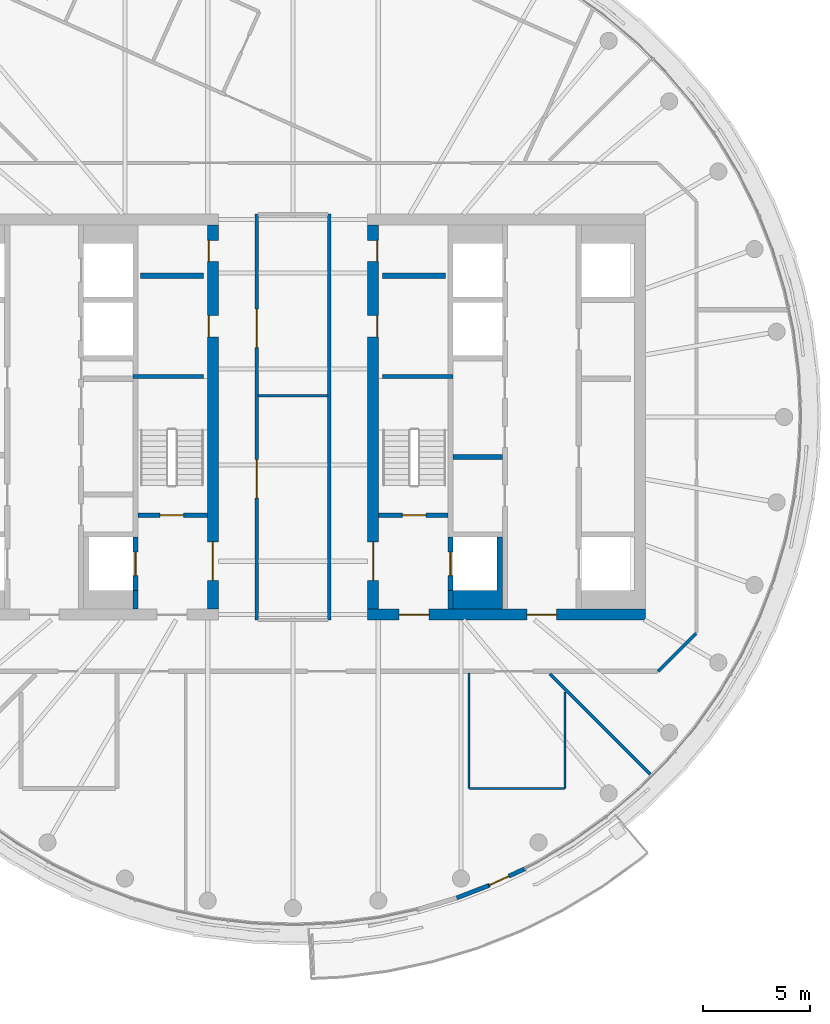
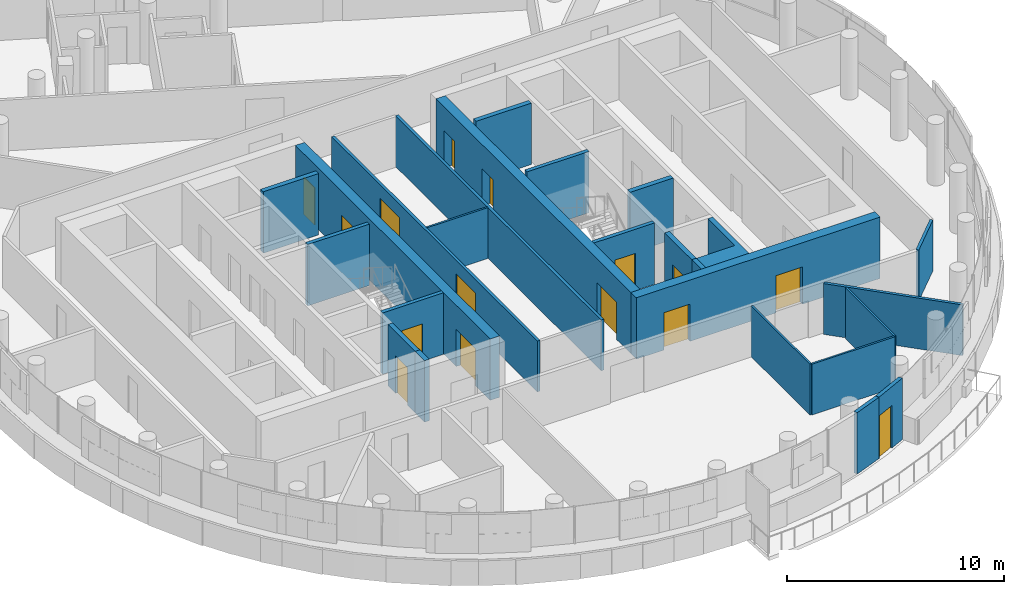
# One storey, part 14 of 21: 25 walls, 15 doors, 15 openings.
"""IFC4 building model written with IfcOpenShell, lengths in metres."""

from ifc_helpers import new_model, si_unit, direction, frame, frame_2d, origin, place, context, subcontext, project, spatial, polyline, rectangle, outline, extrude, material, layer, layer_set, type_object, element, fill, save


model = new_model("IFC4")

# Units and contexts
model_context = context("Model", 3, precision=1e-05, world=origin(), true_north=direction((0.0, 1.0)))
body_context = subcontext(model_context, "Body", "Model", "MODEL_VIEW")
ifc_project = project(units=[si_unit("LENGTHUNIT", "METRE"), si_unit("AREAUNIT", "SQUARE_METRE"), si_unit("VOLUMEUNIT", "CUBIC_METRE"), si_unit("PLANEANGLEUNIT", "RADIAN"), si_unit("MASSUNIT", "GRAM", prefix="KILO")], contexts=[model_context])

# Site, building, storey
site_placement = place(None, origin())
site = spatial("IfcSite", under=ifc_project, at=site_placement, CompositionType="ELEMENT")
building_placement = place(site_placement, origin())
building = spatial("IfcBuilding", under=site, at=building_placement, Name="Tamarind Cross Interchange Tower", CompositionType="ELEMENT")
storey_placement = place(building_placement, frame((0.0, 0.0, 271.199951171875)))
storey = spatial("IfcBuildingStorey", under=building, at=storey_placement, Name="L69", CompositionType="ELEMENT", Elevation=271.199951171875)

# Wall, opening, door
ifc_material_1 = material(Name="Concrete C40", Category="concrete")
ifc_layer_1 = layer(ifc_material_1, 0.199951171875)
ifc_layer_set_1 = layer_set([ifc_layer_1], Name="Concrete C40")
wall_type_1 = type_object("IfcWallType", Name="Balcony and garden door wall", PredefinedType="SOLIDWALL", material=ifc_layer_set_1)
wall_1_placement = place(storey_placement, frame((9.16015625, -21.944580078125, 0.0), z_axis=(0.0, 0.0, 1.0), x_axis=(0.906591500503, 0.422009302286, 0.0)))
wall_1 = element("IfcWall", 1, at=wall_1_placement, inside=storey, type_object=wall_type_1, Name="EXW-L69-01-D15R", PredefinedType="SOLIDWALL", context=body_context, shape_type="SweptSolid", body=[
    extrude(rectangle(XDim=1.876708984375, YDim=0.199951171875, at=frame_2d((0.9384765625, 0.0))), origin(), (0.0, 0.0, 1.0), 3.4599609375),
])
opening_1_placement = place(wall_1_placement, frame((0.050048828125, 0.0, 0.0)))
opening_1 = element("IfcOpeningElement", 2, at=opening_1_placement, cuts=wall_1, Name="Opening D2", PredefinedType="OPENING", context=body_context, shape_type="SweptSolid", body=[
    extrude(rectangle(XDim=1.0, YDim=2.39990234375, at=frame_2d((0.5, 1.199951171875))), frame((0.0, 0.10986328125, 0.0), z_axis=(0.0, -1.0, 0.0), x_axis=(1.0, 0.0, 0.0)), (0.0, 0.0, 1.0), 0.219970703125),
])
ifc_material_2 = material(Name="Aluminium and toughened glass", Category="aluminium")
door_type_1 = type_object("IfcDoorType", Name="Balcony and garden door", OperationType="SINGLE_SWING_LEFT", PredefinedType="DOOR", material=ifc_material_2)
door_1_placement = place(opening_1_placement, origin())
door_1 = element("IfcDoor", 3, at=door_1_placement, inside=storey, type_object=door_type_1, Name="DOR-L69-01-15", OperationType="SINGLE_SWING_LEFT", OverallHeight=2.39990234375, OverallWidth=1.0, PredefinedType="DOOR", context=body_context, shape_type="SweptSolid", body=[
    extrude(rectangle(XDim=1.0, YDim=2.39990234375, at=frame_2d((0.5, 1.199951171875))), frame((0.0, 0.02490234375, 0.0), z_axis=(0.0, -1.0, 0.0), x_axis=(1.0, 0.0, 0.0)), (0.0, 0.0, 1.0), 0.050048828125),
])
fill(opening_1, door_1)

# Wall
wall_2_placement = place(storey_placement, frame((7.667724609375, -22.52001953125, 0.0), z_axis=(0.0, 0.0, 1.0), x_axis=(0.933046310402, 0.359756282287, 0.0)))
element("IfcWall", 4, at=wall_2_placement, inside=storey, type_object=wall_type_1, Name="EXW-L69-01-D15", PredefinedType="SOLIDWALL", context=body_context, shape_type="SweptSolid", body=[
    extrude(rectangle(XDim=1.599609375, YDim=0.199951171875, at=frame_2d((0.7998046875, 0.0))), origin(), (0.0, 0.0, 1.0), 3.4599609375),
])

# Wall, openings, doors
ifc_material_3 = material(Name="Concrete C50", Category="concrete")
ifc_layer_2 = layer(ifc_material_3, 0.5)
ifc_layer_set_2 = layer_set([ifc_layer_2], Name="Concrete C50")
wall_type_2 = type_object("IfcWallType", Name="Core wall 500 mm Concrete C50", PredefinedType="SHEAR", material=ifc_layer_set_2)
wall_3_placement = place(storey_placement, frame((-3.75, -9.0, 0.0), z_axis=(0.0, 0.0, 1.0), x_axis=(0.0, 1.0, 0.0)))
wall_3 = element("IfcWall", 5, at=wall_3_placement, inside=storey, type_object=wall_type_2, Name="Core wall CWL-L69-W-IN", PredefinedType="SHEAR", context=body_context, shape_type="SweptSolid", body=[
    extrude(rectangle(XDim=18.0, YDim=0.5, at=frame_2d((9.0, 0.0))), origin(), (0.0, 0.0, 1.0), 3.4599609375),
])
opening_2_placement = place(wall_3_placement, frame((1.35009765625, 0.0, 0.0)))
opening_2 = element("IfcOpeningElement", 6, at=opening_2_placement, cuts=wall_3, Name="Opening DCW4", PredefinedType="OPENING", context=body_context, shape_type="SweptSolid", body=[
    extrude(rectangle(XDim=1.800048828125, YDim=2.10009765625, at=frame_2d((0.89990234375, 1.050048828125))), frame((0.0, 0.260009765625, 0.0), z_axis=(0.0, -1.0, 0.0), x_axis=(1.0, 0.0, 0.0)), (0.0, 0.0, 1.0), 0.52001953125),
])
opening_3_placement = place(wall_3_placement, frame((12.74951171875, 0.0, 0.0)))
opening_3 = element("IfcOpeningElement", 7, at=opening_3_placement, cuts=wall_3, Name="Opening DCW5", PredefinedType="OPENING", context=body_context, shape_type="SweptSolid", body=[
    extrude(rectangle(XDim=1.0, YDim=2.10009765625, at=frame_2d((0.5, 1.050048828125))), frame((0.0, 0.260009765625, 0.0), z_axis=(0.0, -1.0, 0.0), x_axis=(1.0, 0.0, 0.0)), (0.0, 0.0, 1.0), 0.52001953125),
])
opening_4_placement = place(wall_3_placement, frame((16.2744140625, 0.0, 0.0)))
opening_4 = element("IfcOpeningElement", 8, at=opening_4_placement, cuts=wall_3, Name="Opening DCW5", PredefinedType="OPENING", context=body_context, shape_type="SweptSolid", body=[
    extrude(rectangle(XDim=1.0, YDim=2.10009765625, at=frame_2d((0.5, 1.050048828125))), frame((0.0, 0.260009765625, 0.0), z_axis=(0.0, -1.0, 0.0), x_axis=(1.0, 0.0, 0.0)), (0.0, 0.0, 1.0), 0.52001953125),
])
ifc_material_4 = material(Name="Steel, fire-resisting", Category="steel")
door_type_2 = type_object("IfcDoorType", Name="Core fire door 1000 x 2100 FD90", OperationType="SINGLE_SWING_LEFT", PredefinedType="DOOR", material=ifc_material_4)
door_2_placement = place(opening_3_placement, origin())
door_2 = element("IfcDoor", 9, at=door_2_placement, inside=storey, type_object=door_type_2, Name="L69 riser room door", OperationType="SINGLE_SWING_LEFT", OverallHeight=2.10009765625, OverallWidth=1.0, PredefinedType="DOOR", context=body_context, shape_type="SweptSolid", body=[
    extrude(rectangle(XDim=1.0, YDim=2.10009765625, at=frame_2d((0.5, 1.050048828125))), frame((0.0, 0.22509765625, 0.0), z_axis=(0.0, -1.0, 0.0), x_axis=(1.0, 0.0, 0.0)), (0.0, 0.0, 1.0), 0.050048828125),
])
fill(opening_3, door_2)
door_3_placement = place(opening_4_placement, origin())
door_3 = element("IfcDoor", 10, at=door_3_placement, inside=storey, type_object=door_type_2, Name="L69 linen press door", OperationType="SINGLE_SWING_LEFT", OverallHeight=2.10009765625, OverallWidth=1.0, PredefinedType="DOOR", context=body_context, shape_type="SweptSolid", body=[
    extrude(rectangle(XDim=1.0, YDim=2.10009765625, at=frame_2d((0.5, 1.050048828125))), frame((0.0, 0.22509765625, 0.0), z_axis=(0.0, -1.0, 0.0), x_axis=(1.0, 0.0, 0.0)), (0.0, 0.0, 1.0), 0.050048828125),
])
fill(opening_4, door_3)
door_type_3 = type_object("IfcDoorType", Name="Core fire door 1800 x 2100 FD90", OperationType="SINGLE_SWING_LEFT", PredefinedType="DOOR", material=ifc_material_4)
door_4_placement = place(opening_2_placement, origin())
door_4 = element("IfcDoor", 11, at=door_4_placement, inside=storey, type_object=door_type_3, Name="L69 firefighting lobby door", OperationType="SINGLE_SWING_LEFT", OverallHeight=2.10009765625, OverallWidth=1.800048828125, PredefinedType="DOOR", context=body_context, shape_type="SweptSolid", body=[
    extrude(rectangle(XDim=1.800048828125, YDim=2.10009765625, at=frame_2d((0.89990234375, 1.050048828125))), frame((0.0, 0.02490234375, 0.0), z_axis=(0.0, -1.0, 0.0), x_axis=(1.0, 0.0, 0.0)), (0.0, 0.0, 1.0), 0.050048828125),
])
fill(opening_2, door_4)

wall_4_placement = place(storey_placement, frame((16.5, -9.25, 0.0), z_axis=(0.0, 0.0, 1.0), x_axis=(-1.0, 0.0, 0.0)))
wall_4 = element("IfcWall", 12, at=wall_4_placement, inside=storey, type_object=wall_type_2, Name="Core wall CWL-L69-E-S", PredefinedType="SHEAR", context=body_context, shape_type="SweptSolid", body=[
    extrude(rectangle(XDim=13.0, YDim=0.5, at=frame_2d((6.5, 0.0))), origin(), (0.0, 0.0, 1.0), 3.4599609375),
])
opening_5_placement = place(wall_4_placement, frame((4.14990234375, 0.0, 0.0)))
opening_5 = element("IfcOpeningElement", 13, at=opening_5_placement, cuts=wall_4, Name="Opening DCE1", PredefinedType="OPENING", context=body_context, shape_type="SweptSolid", body=[
    extrude(rectangle(XDim=1.39990234375, YDim=2.10009765625, at=frame_2d((0.699951171875, 1.050048828125))), frame((0.0, 0.260009765625, 0.0), z_axis=(0.0, -1.0, 0.0), x_axis=(1.0, 0.0, 0.0)), (0.0, 0.0, 1.0), 0.52001953125),
])
opening_6_placement = place(wall_4_placement, frame((10.125, 0.0, 0.0)))
opening_6 = element("IfcOpeningElement", 14, at=opening_6_placement, cuts=wall_4, Name="Opening DCEF", PredefinedType="OPENING", context=body_context, shape_type="SweptSolid", body=[
    extrude(rectangle(XDim=1.39990234375, YDim=2.10009765625, at=frame_2d((0.699951171875, 1.050048828125))), frame((0.0, 0.260009765625, 0.0), z_axis=(0.0, -1.0, 0.0), x_axis=(1.0, 0.0, 0.0)), (0.0, 0.0, 1.0), 0.52001953125),
])
door_type_4 = type_object("IfcDoorType", Name="Core fire door 1400 x 2100 FD90", OperationType="SINGLE_SWING_LEFT", PredefinedType="DOOR", material=ifc_material_4)
door_5_placement = place(opening_5_placement, origin())
door_5 = element("IfcDoor", 15, at=door_5_placement, inside=storey, type_object=door_type_4, Name="L69 lift lobby door", OperationType="SINGLE_SWING_LEFT", OverallHeight=2.10009765625, OverallWidth=1.39990234375, PredefinedType="DOOR", context=body_context, shape_type="SweptSolid", body=[
    extrude(rectangle(XDim=1.39990234375, YDim=2.10009765625, at=frame_2d((0.699951171875, 1.050048828125))), frame((0.0, 0.02490234375, 0.0), z_axis=(0.0, -1.0, 0.0), x_axis=(1.0, 0.0, 0.0)), (0.0, 0.0, 1.0), 0.050048828125),
])
fill(opening_5, door_5)
door_6_placement = place(opening_6_placement, origin())
door_6 = element("IfcDoor", 16, at=door_6_placement, inside=storey, type_object=door_type_4, Name="L69 firefighting lobby end door", OperationType="SINGLE_SWING_LEFT", OverallHeight=2.10009765625, OverallWidth=1.39990234375, PredefinedType="DOOR", context=body_context, shape_type="SweptSolid", body=[
    extrude(rectangle(XDim=1.39990234375, YDim=2.10009765625, at=frame_2d((0.699951171875, 1.050048828125))), frame((0.0, 0.02490234375, 0.0), z_axis=(0.0, -1.0, 0.0), x_axis=(1.0, 0.0, 0.0)), (0.0, 0.0, 1.0), 0.050048828125),
])
fill(opening_6, door_6)

wall_5_placement = place(storey_placement, frame((3.75, -9.0, 0.0), z_axis=(0.0, 0.0, 1.0), x_axis=(0.0, 1.0, 0.0)))
wall_5 = element("IfcWall", 17, at=wall_5_placement, inside=storey, type_object=wall_type_2, Name="Core wall CWL-L69-E-IN", PredefinedType="SHEAR", context=body_context, shape_type="SweptSolid", body=[
    extrude(rectangle(XDim=18.0, YDim=0.5, at=frame_2d((9.0, 0.0))), origin(), (0.0, 0.0, 1.0), 3.4599609375),
])
opening_7_placement = place(wall_5_placement, frame((1.35009765625, 0.0, 0.0)))
opening_7 = element("IfcOpeningElement", 18, at=opening_7_placement, cuts=wall_5, Name="Opening DCE4", PredefinedType="OPENING", context=body_context, shape_type="SweptSolid", body=[
    extrude(rectangle(XDim=1.800048828125, YDim=2.10009765625, at=frame_2d((0.89990234375, 1.050048828125))), frame((0.0, 0.260009765625, 0.0), z_axis=(0.0, -1.0, 0.0), x_axis=(1.0, 0.0, 0.0)), (0.0, 0.0, 1.0), 0.52001953125),
])
opening_8_placement = place(wall_5_placement, frame((12.74951171875, 0.0, 0.0)))
opening_8 = element("IfcOpeningElement", 19, at=opening_8_placement, cuts=wall_5, Name="Opening DCE5", PredefinedType="OPENING", context=body_context, shape_type="SweptSolid", body=[
    extrude(rectangle(XDim=1.0, YDim=2.10009765625, at=frame_2d((0.5, 1.050048828125))), frame((0.0, 0.260009765625, 0.0), z_axis=(0.0, -1.0, 0.0), x_axis=(1.0, 0.0, 0.0)), (0.0, 0.0, 1.0), 0.52001953125),
])
opening_9_placement = place(wall_5_placement, frame((16.2744140625, 0.0, 0.0)))
opening_9 = element("IfcOpeningElement", 20, at=opening_9_placement, cuts=wall_5, Name="Opening DCE5", PredefinedType="OPENING", context=body_context, shape_type="SweptSolid", body=[
    extrude(rectangle(XDim=1.0, YDim=2.10009765625, at=frame_2d((0.5, 1.050048828125))), frame((0.0, 0.260009765625, 0.0), z_axis=(0.0, -1.0, 0.0), x_axis=(1.0, 0.0, 0.0)), (0.0, 0.0, 1.0), 0.52001953125),
])
door_7_placement = place(opening_8_placement, origin())
door_7 = element("IfcDoor", 21, at=door_7_placement, inside=storey, type_object=door_type_2, Name="L69 riser room door", OperationType="SINGLE_SWING_LEFT", OverallHeight=2.10009765625, OverallWidth=1.0, PredefinedType="DOOR", context=body_context, shape_type="SweptSolid", body=[
    extrude(rectangle(XDim=1.0, YDim=2.10009765625, at=frame_2d((0.5, 1.050048828125))), frame((0.0, -0.1748046875, 0.0), z_axis=(0.0, -1.0, 0.0), x_axis=(1.0, 0.0, 0.0)), (0.0, 0.0, 1.0), 0.050048828125),
])
fill(opening_8, door_7)
door_8_placement = place(opening_9_placement, origin())
door_8 = element("IfcDoor", 22, at=door_8_placement, inside=storey, type_object=door_type_2, Name="L69 linen press door", OperationType="SINGLE_SWING_LEFT", OverallHeight=2.10009765625, OverallWidth=1.0, PredefinedType="DOOR", context=body_context, shape_type="SweptSolid", body=[
    extrude(rectangle(XDim=1.0, YDim=2.10009765625, at=frame_2d((0.5, 1.050048828125))), frame((0.0, -0.1748046875, 0.0), z_axis=(0.0, -1.0, 0.0), x_axis=(1.0, 0.0, 0.0)), (0.0, 0.0, 1.0), 0.050048828125),
])
fill(opening_9, door_8)
door_9_placement = place(opening_7_placement, origin())
door_9 = element("IfcDoor", 23, at=door_9_placement, inside=storey, type_object=door_type_3, Name="L69 firefighting lobby door", OperationType="SINGLE_SWING_LEFT", OverallHeight=2.10009765625, OverallWidth=1.800048828125, PredefinedType="DOOR", context=body_context, shape_type="SweptSolid", body=[
    extrude(rectangle(XDim=1.800048828125, YDim=2.10009765625, at=frame_2d((0.89990234375, 1.050048828125))), frame((0.0, 0.02490234375, 0.0), z_axis=(0.0, -1.0, 0.0), x_axis=(1.0, 0.0, 0.0)), (0.0, 0.0, 1.0), 0.050048828125),
])
fill(opening_7, door_9)

# Walls
ifc_layer_3 = layer(ifc_material_3, 0.199951171875)
ifc_layer_set_3 = layer_set([ifc_layer_3], Name="Concrete C50")
wall_type_3 = type_object("IfcWallType", Name="Core web wall 200 mm Concrete C50", PredefinedType="SHEAR", material=ifc_layer_set_3)
for number, where, z_axis, x_axis, name in (
    (24, (-7.5, 1.89990234375, 0.0), (0.0, 0.0, 1.0), (1.0, 0.0, 0.0), "Core wall CWL-L69-W-BD"),
    (25, (7.5, 1.89990234375, 0.0), (0.0, 0.0, 1.0), (-1.0, 0.0, 0.0), "Core wall CWL-L69-E-BD"),
):
    element("IfcWall", number, at=place(storey_placement, frame(where, z_axis=z_axis, x_axis=x_axis)), inside=storey, type_object=wall_type_3, Name=name, PredefinedType="SHEAR", context=body_context, shape_type="SweptSolid", body=[
        extrude(rectangle(XDim=3.300048828125, YDim=0.199951171875, at=frame_2d((1.64990234375, 0.0))), origin(), (0.0, 0.0, 1.0), 3.4599609375),
    ])
ifc_layer_4 = layer(ifc_material_3, 0.25)
ifc_layer_set_4 = layer_set([ifc_layer_4], Name="Concrete C50")
wall_type_4 = type_object("IfcWallType", Name="Core web wall 250 mm Concrete C50", PredefinedType="SHEAR", material=ifc_layer_set_4)
wall_6_placement = place(storey_placement, frame((-7.375, -9.0, 0.0), z_axis=(0.0, 0.0, 1.0), x_axis=(0.0, 1.0, 0.0)))
element("IfcWall", 26, at=wall_6_placement, inside=storey, type_object=wall_type_4, Name="Core wall CWL-L69-W-BW", PredefinedType="SHEAR", context=body_context, shape_type="SweptSolid", body=[
    extrude(rectangle(XDim=0.875, YDim=0.25, at=frame_2d((0.4375, 0.0))), origin(), (0.0, 0.0, 1.0), 3.4599609375),
])

# Wall, opening, door
wall_7_placement = place(storey_placement, frame((-7.375, -8.125, 0.0), z_axis=(0.0, 0.0, 1.0), x_axis=(0.0, 1.0, 0.0)))
wall_7 = element("IfcWall", 27, at=wall_7_placement, inside=storey, type_object=wall_type_4, Name="Core wall CWL-L69-W-FF", PredefinedType="SHEAR", context=body_context, shape_type="SweptSolid", body=[
    extrude(rectangle(XDim=2.5, YDim=0.25, at=frame_2d((1.25, 0.0))), origin(), (0.0, 0.0, 1.0), 3.4599609375),
])
opening_10_placement = place(wall_7_placement, frame((0.699951171875, 0.0, 0.0)))
opening_10 = element("IfcOpeningElement", 28, at=opening_10_placement, cuts=wall_7, Name="Opening LD7L69", PredefinedType="OPENING", context=body_context, shape_type="SweptSolid", body=[
    extrude(rectangle(XDim=1.10009765625, YDim=2.10009765625, at=frame_2d((0.550048828125, 1.050048828125))), frame((0.0, 0.135009765625, 0.0), z_axis=(0.0, -1.0, 0.0), x_axis=(1.0, 0.0, 0.0)), (0.0, 0.0, 1.0), 0.27001953125),
])
ifc_material_5 = material(Name="Stainless steel panel", Category="steel")
door_type_5 = type_object("IfcDoorType", Name="Lift landing door 1100 x 2100 E 120", OperationType="SLIDING_TO_LEFT", PredefinedType="DOOR", material=ifc_material_5)
door_10_placement = place(opening_10_placement, origin())
door_10 = element("IfcDoor", 29, at=door_10_placement, inside=storey, type_object=door_type_5, Name="L69 landing door LF7", OperationType="SLIDING_TO_LEFT", OverallHeight=2.10009765625, OverallWidth=1.10009765625, PredefinedType="DOOR", context=body_context, shape_type="SweptSolid", body=[
    extrude(rectangle(XDim=1.10009765625, YDim=2.10009765625, at=frame_2d((0.550048828125, 1.050048828125))), frame((0.0, 0.02490234375, 0.0), z_axis=(0.0, -1.0, 0.0), x_axis=(1.0, 0.0, 0.0)), (0.0, 0.0, 1.0), 0.050048828125),
])
fill(opening_10, door_10)

# Walls
wall_8_placement = place(storey_placement, origin())
element("IfcWall", 30, at=wall_8_placement, inside=storey, type_object=wall_type_4, Name="Core wall CWL-L69-E-BS", PredefinedType="SHEAR", context=body_context, shape_type="SweptSolid", body=[
    extrude(outline(polyline([(7.5, -8.125), (7.5, -9.0), (9.800048828125, -9.0), (9.800048828125, -8.125), (9.800048828125, -5.625), (9.550048828125, -5.625), (9.550048828125, -8.125), (7.5, -8.125)])), origin(), (0.0, 0.0, 1.0), 3.4599609375),
])
wall_9_placement = place(storey_placement, frame((7.375, -9.0, 0.0), z_axis=(0.0, 0.0, 1.0), x_axis=(0.0, 1.0, 0.0)))
element("IfcWall", 31, at=wall_9_placement, inside=storey, type_object=wall_type_4, Name="Core wall CWL-L69-E-BW", PredefinedType="SHEAR", context=body_context, shape_type="SweptSolid", body=[
    extrude(rectangle(XDim=0.875, YDim=0.25, at=frame_2d((0.4375, 0.0))), origin(), (0.0, 0.0, 1.0), 3.4599609375),
])

# Wall, opening, door
wall_10_placement = place(storey_placement, frame((7.375, -8.125, 0.0), z_axis=(0.0, 0.0, 1.0), x_axis=(0.0, 1.0, 0.0)))
wall_10 = element("IfcWall", 32, at=wall_10_placement, inside=storey, type_object=wall_type_4, Name="Core wall CWL-L69-E-FF", PredefinedType="SHEAR", context=body_context, shape_type="SweptSolid", body=[
    extrude(rectangle(XDim=2.5, YDim=0.25, at=frame_2d((1.25, 0.0))), origin(), (0.0, 0.0, 1.0), 3.4599609375),
])
opening_11_placement = place(wall_10_placement, frame((0.699951171875, 0.0, 0.0)))
opening_11 = element("IfcOpeningElement", 33, at=opening_11_placement, cuts=wall_10, Name="Opening LD19L69", PredefinedType="OPENING", context=body_context, shape_type="SweptSolid", body=[
    extrude(rectangle(XDim=1.10009765625, YDim=2.10009765625, at=frame_2d((0.550048828125, 1.050048828125))), frame((0.0, 0.135009765625, 0.0), z_axis=(0.0, -1.0, 0.0), x_axis=(1.0, 0.0, 0.0)), (0.0, 0.0, 1.0), 0.27001953125),
])
door_11_placement = place(opening_11_placement, origin())
door_11 = element("IfcDoor", 34, at=door_11_placement, inside=storey, type_object=door_type_5, Name="L69 landing door LF19", OperationType="SLIDING_TO_LEFT", OverallHeight=2.10009765625, OverallWidth=1.10009765625, PredefinedType="DOOR", context=body_context, shape_type="SweptSolid", body=[
    extrude(rectangle(XDim=1.10009765625, YDim=2.10009765625, at=frame_2d((0.550048828125, 1.050048828125))), frame((0.0, 0.02490234375, 0.0), z_axis=(0.0, -1.0, 0.0), x_axis=(1.0, 0.0, 0.0)), (0.0, 0.0, 1.0), 0.050048828125),
])
fill(opening_11, door_11)

# Walls
ifc_material_6 = material(Name="Gypsum board partition on steel studs", Category="steel")
ifc_layer_5 = layer(ifc_material_6, 0.10009765625)
ifc_layer_set_5 = layer_set([ifc_layer_5], Name="Gypsum board partition on steel studs")
wall_type_5 = type_object("IfcWallType", Name="Partition 100 mm EI 120", PredefinedType="PARTITIONING", material=ifc_layer_set_5)
wall_11_placement = place(storey_placement, frame((-1.639892578125, 1.0, 0.0), z_axis=(0.0, 0.0, 1.0), x_axis=(1.0, 0.0, 0.0)))
element("IfcWall", 35, at=wall_11_placement, inside=storey, type_object=wall_type_5, Name="Partition L69-023", PredefinedType="PARTITIONING", context=body_context, shape_type="SweptSolid", body=[
    extrude(rectangle(XDim=3.27978515625, YDim=0.10009765625, at=frame_2d((1.639892578125, 0.0))), origin(), (0.0, 0.0, 1.0), 2.864013671875),
])
ifc_layer_6 = layer(ifc_material_6, 0.10009765625)
ifc_layer_set_6 = layer_set([ifc_layer_6], Name="Gypsum board partition on steel studs")
wall_type_6 = type_object("IfcWallType", Name="Partition 100 mm EI 90", PredefinedType="PARTITIONING", material=ifc_layer_set_6)
wall_12_placement = place(storey_placement, frame((8.27587890625, -17.39990234375, 0.0), z_axis=(0.0, 0.0, 1.0), x_axis=(1.0, 0.0, 0.0)))
element("IfcWall", 36, at=wall_12_placement, inside=storey, type_object=wall_type_6, Name="Partition L69-021", PredefinedType="PARTITIONING", context=body_context, shape_type="SweptSolid", body=[
    extrude(rectangle(XDim=4.43017578125, YDim=0.10009765625, at=frame_2d((2.215087890625, 0.0))), origin(), (0.0, 0.0, 1.0), 2.864013671875),
])
wall_13_placement = place(storey_placement, frame((8.240966796875, -17.39990234375, 0.0), z_axis=(0.0, 0.0, 1.0), x_axis=(0.0, 1.0, 0.0)))
element("IfcWall", 37, at=wall_13_placement, inside=storey, type_object=wall_type_6, Name="Partition L69-047", PredefinedType="PARTITIONING", context=body_context, shape_type="SweptSolid", body=[
    extrude(rectangle(XDim=5.419921875, YDim=0.10009765625, at=frame_2d((2.7099609375, 0.0))), origin(), (0.0, 0.0, 1.0), 2.864013671875),
])
wall_14_placement = place(storey_placement, frame((12.740966796875, -17.39990234375, 0.0), z_axis=(0.0, 0.0, 1.0), x_axis=(0.0, 1.0, 0.0)))
element("IfcWall", 38, at=wall_14_placement, inside=storey, type_object=wall_type_6, Name="Partition L69-048", PredefinedType="PARTITIONING", context=body_context, shape_type="SweptSolid", body=[
    extrude(rectangle(XDim=4.518798828125, YDim=0.10009765625, at=frame_2d((2.25927734375, 0.0))), origin(), (0.0, 0.0, 1.0), 2.864013671875),
])
ifc_layer_7 = layer(ifc_material_6, 0.14990234375)
ifc_layer_set_7 = layer_set([ifc_layer_7], Name="Gypsum board partition on steel studs")
wall_type_7 = type_object("IfcWallType", Name="Partition 150 mm EI 120", PredefinedType="PARTITIONING", material=ifc_layer_set_7)
wall_15_placement = place(storey_placement, frame((12.034423828125, -12.034423828125, 0.0), z_axis=(0.0, 0.0, 1.0), x_axis=(0.707106781187, -0.707106781187, 0.0)))
element("IfcWall", 39, at=wall_15_placement, inside=storey, type_object=wall_type_7, Name="Partition L69-003", PredefinedType="PARTITIONING", context=body_context, shape_type="SweptSolid", body=[
    extrude(rectangle(XDim=6.6552734375, YDim=0.14990234375, at=frame_2d((3.32763671875, 0.0))), origin(), (0.0, 0.0, 1.0), 2.864013671875),
])
wall_16_placement = place(storey_placement, frame((17.10009765625, -11.89990234375, 0.0), z_axis=(0.0, 0.0, 1.0), x_axis=(0.707106781187, 0.707106781187, 0.0)))
element("IfcWall", 40, at=wall_16_placement, inside=storey, type_object=wall_type_7, Name="Partition L69-029", PredefinedType="PARTITIONING", context=body_context, shape_type="SweptSolid", body=[
    extrude(rectangle(XDim=2.50537109375, YDim=0.14990234375, at=frame_2d((1.252685546875, 0.0))), origin(), (0.0, 0.0, 1.0), 2.864013671875),
])

# Wall, openings, doors
wall_17_placement = place(storey_placement, frame((-1.699951171875, -9.5, 0.0), z_axis=(0.0, 0.0, 1.0), x_axis=(0.0, 1.0, 0.0)))
wall_17 = element("IfcWall", 41, at=wall_17_placement, inside=storey, type_object=wall_type_7, Name="Partition L69-045", PredefinedType="PARTITIONING", context=body_context, shape_type="SweptSolid", body=[
    extrude(rectangle(XDim=19.0, YDim=0.14990234375, at=frame_2d((9.5, 0.0))), origin(), (0.0, 0.0, 1.0), 2.864013671875),
])
opening_12_placement = place(wall_17_placement, frame((5.699951171875, 0.0, 0.0)))
opening_12 = element("IfcOpeningElement", 42, at=opening_12_placement, cuts=wall_17, Name="Opening D22", PredefinedType="OPENING", context=body_context, shape_type="SweptSolid", body=[
    extrude(rectangle(XDim=1.800048828125, YDim=2.10009765625, at=frame_2d((0.89990234375, 1.050048828125))), frame((0.0, 0.0849609375, 0.0), z_axis=(0.0, -1.0, 0.0), x_axis=(1.0, 0.0, 0.0)), (0.0, 0.0, 1.0), 0.169921875),
])
opening_13_placement = place(wall_17_placement, frame((12.75, 0.0, 0.0)))
opening_13 = element("IfcOpeningElement", 43, at=opening_13_placement, cuts=wall_17, Name="Opening D23", PredefinedType="OPENING", context=body_context, shape_type="SweptSolid", body=[
    extrude(rectangle(XDim=1.800048828125, YDim=2.10009765625, at=frame_2d((0.89990234375, 1.050048828125))), frame((0.0, 0.0849609375, 0.0), z_axis=(0.0, -1.0, 0.0), x_axis=(1.0, 0.0, 0.0)), (0.0, 0.0, 1.0), 0.169921875),
])
ifc_material_7 = material(Name="Fire-resisting door set")
door_type_6 = type_object("IfcDoorType", Name="Interior door 1800 x 2100 FD60S", OperationType="DOUBLE_DOOR_SINGLE_SWING", PredefinedType="DOOR", material=ifc_material_7)
door_12_placement = place(opening_12_placement, frame((1.800048828125, 0.0, 0.0), z_axis=(0.0, 0.0, 1.0), x_axis=(-1.0, 0.0, 0.0)))
door_12 = element("IfcDoor", 44, at=door_12_placement, inside=storey, type_object=door_type_6, Name="Door D22", OperationType="DOUBLE_DOOR_SINGLE_SWING", OverallHeight=2.10009765625, OverallWidth=1.800048828125, PredefinedType="DOOR", context=body_context, shape_type="SweptSolid", body=[
    extrude(rectangle(XDim=1.800048828125, YDim=2.10009765625, at=frame_2d((0.89990234375, 1.050048828125))), frame((0.0, 0.02490234375, 0.0), z_axis=(0.0, -1.0, 0.0), x_axis=(1.0, 0.0, 0.0)), (0.0, 0.0, 1.0), 0.050048828125),
])
fill(opening_12, door_12)
door_13_placement = place(opening_13_placement, frame((1.800048828125, 0.0, 0.0), z_axis=(0.0, 0.0, 1.0), x_axis=(-1.0, 0.0, 0.0)))
door_13 = element("IfcDoor", 45, at=door_13_placement, inside=storey, type_object=door_type_6, Name="Door D23", OperationType="DOUBLE_DOOR_SINGLE_SWING", OverallHeight=2.10009765625, OverallWidth=1.800048828125, PredefinedType="DOOR", context=body_context, shape_type="SweptSolid", body=[
    extrude(rectangle(XDim=1.800048828125, YDim=2.10009765625, at=frame_2d((0.89990234375, 1.050048828125))), frame((0.0, 0.02490234375, 0.0), z_axis=(0.0, -1.0, 0.0), x_axis=(1.0, 0.0, 0.0)), (0.0, 0.0, 1.0), 0.050048828125),
])
fill(opening_13, door_13)

# Walls
wall_18_placement = place(storey_placement, frame((1.699951171875, -9.5, 0.0), z_axis=(0.0, 0.0, 1.0), x_axis=(0.0, 1.0, 0.0)))
element("IfcWall", 46, at=wall_18_placement, inside=storey, type_object=wall_type_7, Name="Partition L69-046", PredefinedType="PARTITIONING", context=body_context, shape_type="SweptSolid", body=[
    extrude(rectangle(XDim=19.0, YDim=0.14990234375, at=frame_2d((9.5, 0.0))), origin(), (0.0, 0.0, 1.0), 2.864013671875),
])
ifc_layer_8 = layer(ifc_material_1, 0.25)
ifc_layer_set_8 = layer_set([ifc_layer_8], Name="Concrete C40")
wall_type_8 = type_object("IfcWallType", Name="Shaft and lobby wall 250 mm Concrete C40", PredefinedType="PARTITIONING", material=ifc_layer_set_8)
for number, where, z_axis, x_axis, name in (
    (47, (-7.14990234375, 6.6240234375, 0.0), (0.0, 0.0, 1.0), (1.0, 0.0, 0.0), "Shaft wall CWL-L69-W-SVP"),
    (48, (7.14990234375, 6.6240234375, 0.0), (0.0, 0.0, 1.0), (-1.0, 0.0, 0.0), "Shaft wall CWL-L69-E-SVP"),
):
    element("IfcWall", number, at=place(storey_placement, frame(where, z_axis=z_axis, x_axis=x_axis)), inside=storey, type_object=wall_type_8, Name=name, PredefinedType="PARTITIONING", context=body_context, shape_type="SweptSolid", body=[
        extrude(rectangle(XDim=2.949951171875, YDim=0.25, at=frame_2d((1.47509765625, 0.0))), origin(), (0.0, 0.0, 1.0), 3.4599609375),
    ])
wall_19_placement = place(storey_placement, frame((9.800048828125, -1.875, 0.0), z_axis=(0.0, 0.0, 1.0), x_axis=(-1.0, 0.0, 0.0)))
element("IfcWall", 49, at=wall_19_placement, inside=storey, type_object=wall_type_8, Name="Shaft wall CWL-L69-E-FPB1", PredefinedType="PARTITIONING", context=body_context, shape_type="SweptSolid", body=[
    extrude(rectangle(XDim=2.300048828125, YDim=0.25, at=frame_2d((1.14990234375, 0.0))), origin(), (0.0, 0.0, 1.0), 3.4599609375),
])

# Wall, opening, door
ifc_layer_9 = layer(ifc_material_1, 0.199951171875)
ifc_layer_set_9 = layer_set([ifc_layer_9], Name="Concrete C40")
wall_type_9 = type_object("IfcWallType", Name="Stair shaft wall 200 mm Concrete C40", PredefinedType="SHEAR", material=ifc_layer_set_9)
wall_20_placement = place(storey_placement, frame((-7.25, -4.60009765625, 0.0), z_axis=(0.0, 0.0, 1.0), x_axis=(1.0, 0.0, 0.0)))
wall_20 = element("IfcWall", 50, at=wall_20_placement, inside=storey, type_object=wall_type_9, Name="Core wall CWL-L69-W-SD", PredefinedType="SHEAR", context=body_context, shape_type="SweptSolid", body=[
    extrude(rectangle(XDim=3.25, YDim=0.199951171875, at=frame_2d((1.625, 0.0))), origin(), (0.0, 0.0, 1.0), 3.4599609375),
])
opening_14_placement = place(wall_20_placement, frame((1.02490234375, 0.0, 0.0)))
opening_14 = element("IfcOpeningElement", 51, at=opening_14_placement, cuts=wall_20, Name="Opening DCW6", PredefinedType="OPENING", context=body_context, shape_type="SweptSolid", body=[
    extrude(rectangle(XDim=1.10009765625, YDim=2.10009765625, at=frame_2d((0.550048828125, 1.050048828125))), frame((0.0, 0.10986328125, 0.0), z_axis=(0.0, -1.0, 0.0), x_axis=(1.0, 0.0, 0.0)), (0.0, 0.0, 1.0), 0.219970703125),
])
door_type_7 = type_object("IfcDoorType", Name="Core fire door 1100 x 2100 FD90", OperationType="SINGLE_SWING_LEFT", PredefinedType="DOOR", material=ifc_material_4)
door_14_placement = place(opening_14_placement, origin())
door_14 = element("IfcDoor", 52, at=door_14_placement, inside=storey, type_object=door_type_7, Name="L69 stair door", OperationType="SINGLE_SWING_LEFT", OverallHeight=2.10009765625, OverallWidth=1.10009765625, PredefinedType="DOOR", context=body_context, shape_type="SweptSolid", body=[
    extrude(rectangle(XDim=1.10009765625, YDim=2.10009765625, at=frame_2d((0.550048828125, 1.050048828125))), frame((0.0, 0.02490234375, 0.0), z_axis=(0.0, -1.0, 0.0), x_axis=(1.0, 0.0, 0.0)), (0.0, 0.0, 1.0), 0.050048828125),
])
fill(opening_14, door_14)

wall_21_placement = place(storey_placement, frame((7.25, -4.60009765625, 0.0), z_axis=(0.0, 0.0, 1.0), x_axis=(-1.0, 0.0, 0.0)))
wall_21 = element("IfcWall", 53, at=wall_21_placement, inside=storey, type_object=wall_type_9, Name="Core wall CWL-L69-E-SD", PredefinedType="SHEAR", context=body_context, shape_type="SweptSolid", body=[
    extrude(rectangle(XDim=3.25, YDim=0.199951171875, at=frame_2d((1.625, 0.0))), origin(), (0.0, 0.0, 1.0), 3.4599609375),
])
opening_15_placement = place(wall_21_placement, frame((1.02490234375, 0.0, 0.0)))
opening_15 = element("IfcOpeningElement", 54, at=opening_15_placement, cuts=wall_21, Name="Opening DCE6", PredefinedType="OPENING", context=body_context, shape_type="SweptSolid", body=[
    extrude(rectangle(XDim=1.10009765625, YDim=2.10009765625, at=frame_2d((0.550048828125, 1.050048828125))), frame((0.0, 0.10986328125, 0.0), z_axis=(0.0, -1.0, 0.0), x_axis=(1.0, 0.0, 0.0)), (0.0, 0.0, 1.0), 0.219970703125),
])
door_15_placement = place(opening_15_placement, origin())
door_15 = element("IfcDoor", 55, at=door_15_placement, inside=storey, type_object=door_type_7, Name="L69 stair door", OperationType="SINGLE_SWING_LEFT", OverallHeight=2.10009765625, OverallWidth=1.10009765625, PredefinedType="DOOR", context=body_context, shape_type="SweptSolid", body=[
    extrude(rectangle(XDim=1.10009765625, YDim=2.10009765625, at=frame_2d((0.550048828125, 1.050048828125))), frame((0.0, 0.02490234375, 0.0), z_axis=(0.0, -1.0, 0.0), x_axis=(1.0, 0.0, 0.0)), (0.0, 0.0, 1.0), 0.050048828125),
])
fill(opening_15, door_15)

save(model, "model.ifc")
